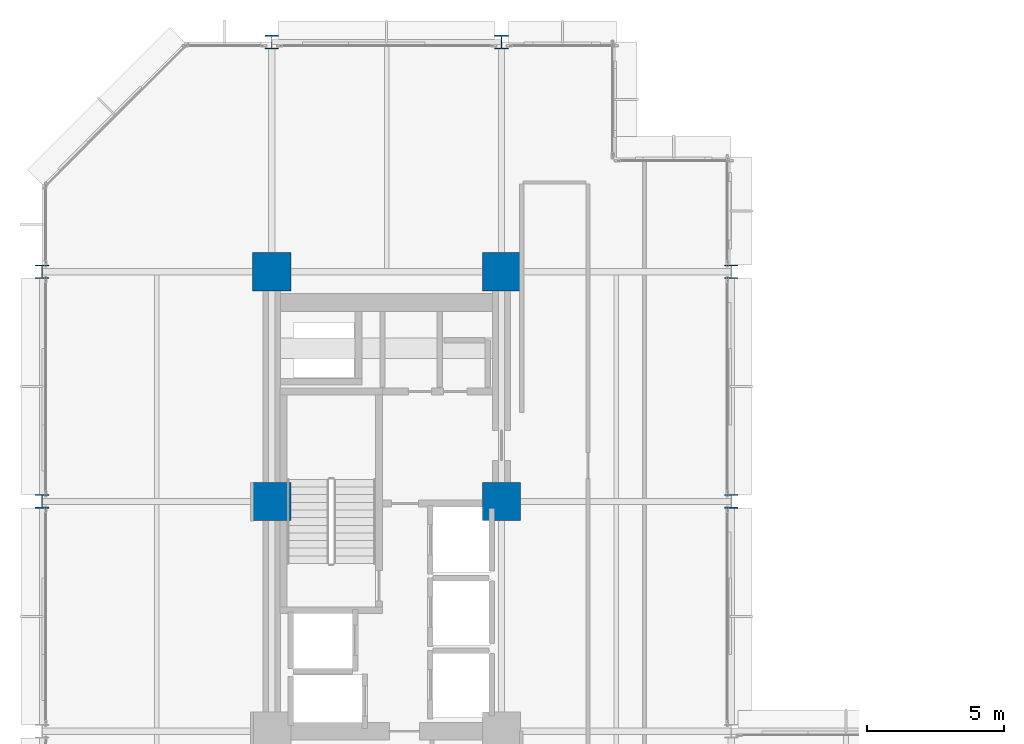
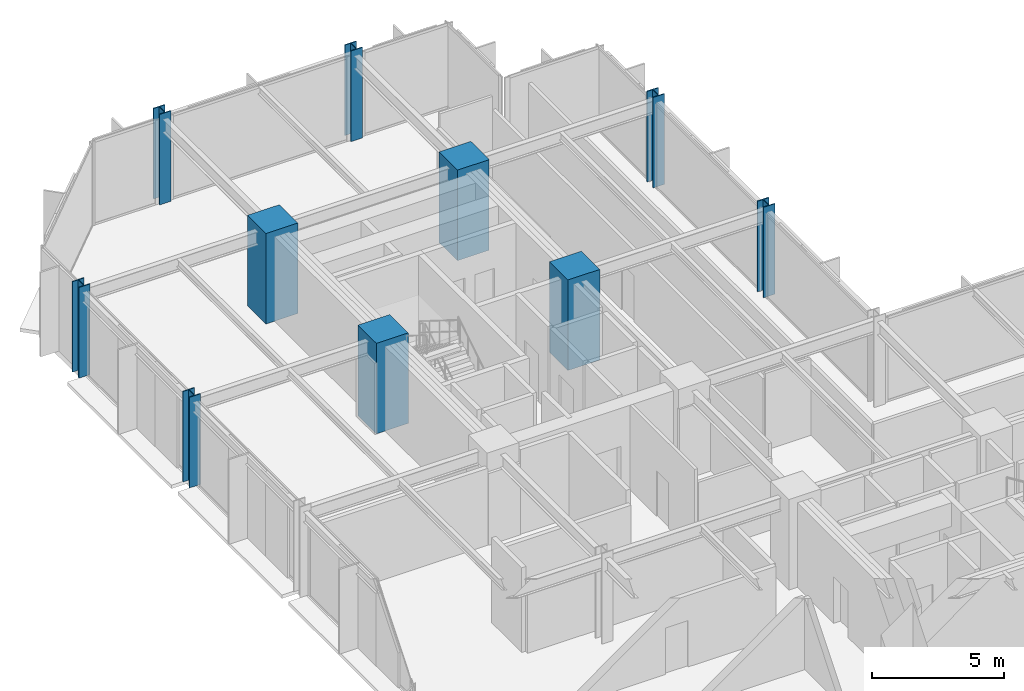
# One storey, part 3 of 30: 10 columns.
"""IFC4 building model written with IfcOpenShell, lengths in metres."""

from ifc_helpers import new_model, si_unit, direction, frame, origin, origin_2d, place, context, subcontext, project, spatial, rectangle, i_section, extrude, material, material_profile, profile_set, type_object, element, save


model = new_model("IFC4")

# Units and contexts
model_context = context("Model", 3, precision=1e-05, world=origin(), true_north=direction((0.0, 1.0)))
body_context = subcontext(model_context, "Body", "Model", "MODEL_VIEW")
ifc_project = project(units=[si_unit("LENGTHUNIT", "METRE"), si_unit("AREAUNIT", "SQUARE_METRE"), si_unit("VOLUMEUNIT", "CUBIC_METRE"), si_unit("PLANEANGLEUNIT", "RADIAN"), si_unit("MASSUNIT", "GRAM", prefix="KILO")], contexts=[model_context])

# Site, building, storey
site_placement = place(None, origin())
site = spatial("IfcSite", under=ifc_project, at=site_placement, CompositionType="ELEMENT")
building_placement = place(site_placement, origin())
building = spatial("IfcBuilding", under=site, at=building_placement, Name="Nerrivon Quay Data Exchange", CompositionType="ELEMENT")
storey_placement = place(building_placement, frame((0.0, 0.0, 62.60009765625)))
storey = spatial("IfcBuildingStorey", under=building, at=storey_placement, Name="L14", CompositionType="ELEMENT", Elevation=62.60009765625)

# Columns
ifc_material_1 = material(Name="Concrete N80 (80 MPa)", Category="concrete")
ifc_material_profile_1 = material_profile(ifc_material_1, rectangle(XDim=1.39990234375, YDim=1.39990234375, at=origin_2d()), Name="RC-COL-1400x1400")
ifc_profile_set_1 = profile_set([ifc_material_profile_1], Name="Concrete N80 (80 MPa)")
column_type_1 = type_object("IfcColumnType", Name="COL-C2-1400", PredefinedType="COLUMN", material=ifc_profile_set_1)
for number, where, z_axis, x_axis, name in (
    (1, (8.39990234375, 33.60009765625, 0.0), (0.0, 0.0, 1.0), (1.0, 0.0, 0.0), "L14 Column (8.4,33.6)"),
    (2, (8.39990234375, 42.0, 0.0), (0.0, 0.0, 1.0), (1.0, 0.0, 0.0), "L14 Column (8.4,42.0)"),
    (3, (16.800048828125, 33.60009765625, 0.0), (0.0, 0.0, 1.0), (1.0, 0.0, 0.0), "L14 Column (16.8,33.6)"),
    (4, (16.800048828125, 42.0, 0.0), (0.0, 0.0, 1.0), (1.0, 0.0, 0.0), "L14 Column (16.8,42.0)"),
):
    element("IfcColumn", number, at=place(storey_placement, frame(where, z_axis=z_axis, x_axis=x_axis)), inside=storey, type_object=column_type_1, Name=name, PredefinedType="COLUMN", context=body_context, shape_type="SweptSolid", body=[
        extrude(rectangle(XDim=1.39990234375, YDim=1.39990234375, at=origin_2d()), origin(), (0.0, 0.0, 1.0), 4.199951171875),
    ])
ifc_material_2 = material(Name="Steel Grade 350", Category="steel")
ifc_material_profile_2 = material_profile(ifc_material_2, i_section(OverallWidth=0.5, OverallDepth=0.5, WebThickness=0.028076171875, FlangeThickness=0.0400390625, at=origin_2d()), Name="500WC440")
ifc_profile_set_2 = profile_set([ifc_material_profile_2], Name="Steel Grade 350")
column_type_2 = type_object("IfcColumnType", Name="COL-SC1-500WC", PredefinedType="COLUMN", material=ifc_profile_set_2)
for number, where, z_axis, x_axis, name in (
    (5, (0.0, 33.60009765625, 0.0), (0.0, 0.0, 1.0), (1.0, 0.0, 0.0), "L14 Column (0.0,33.6)"),
    (6, (0.0, 42.0, 0.0), (0.0, 0.0, 1.0), (1.0, 0.0, 0.0), "L14 Column (0.0,42.0)"),
    (7, (8.39990234375, 50.39990234375, 0.0), (0.0, 0.0, 1.0), (1.0, 0.0, 0.0), "L14 Column (8.4,50.4)"),
    (8, (16.800048828125, 50.39990234375, 0.0), (0.0, 0.0, 1.0), (1.0, 0.0, 0.0), "L14 Column (16.8,50.4)"),
    (9, (25.199951171875, 33.60009765625, 0.0), (0.0, 0.0, 1.0), (1.0, 0.0, 0.0), "L14 Column (25.2,33.6)"),
    (10, (25.199951171875, 42.0, 0.0), (0.0, 0.0, 1.0), (1.0, 0.0, 0.0), "L14 Column (25.2,42.0)"),
):
    element("IfcColumn", number, at=place(storey_placement, frame(where, z_axis=z_axis, x_axis=x_axis)), inside=storey, type_object=column_type_2, Name=name, PredefinedType="COLUMN", context=body_context, shape_type="SweptSolid", body=[
        extrude(i_section(OverallWidth=0.5, OverallDepth=0.5, WebThickness=0.028076171875, FlangeThickness=0.0400390625, at=origin_2d()), origin(), (0.0, 0.0, 1.0), 4.199951171875),
    ])

save(model, "model.ifc")
